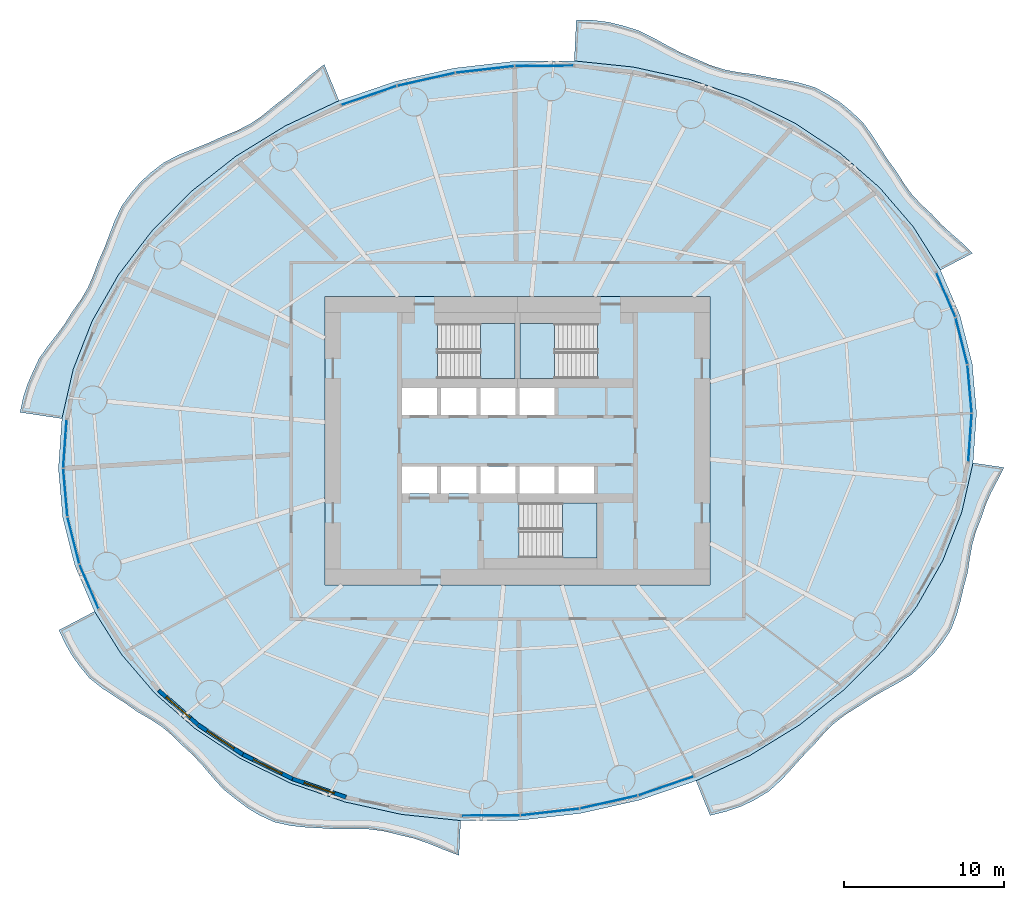
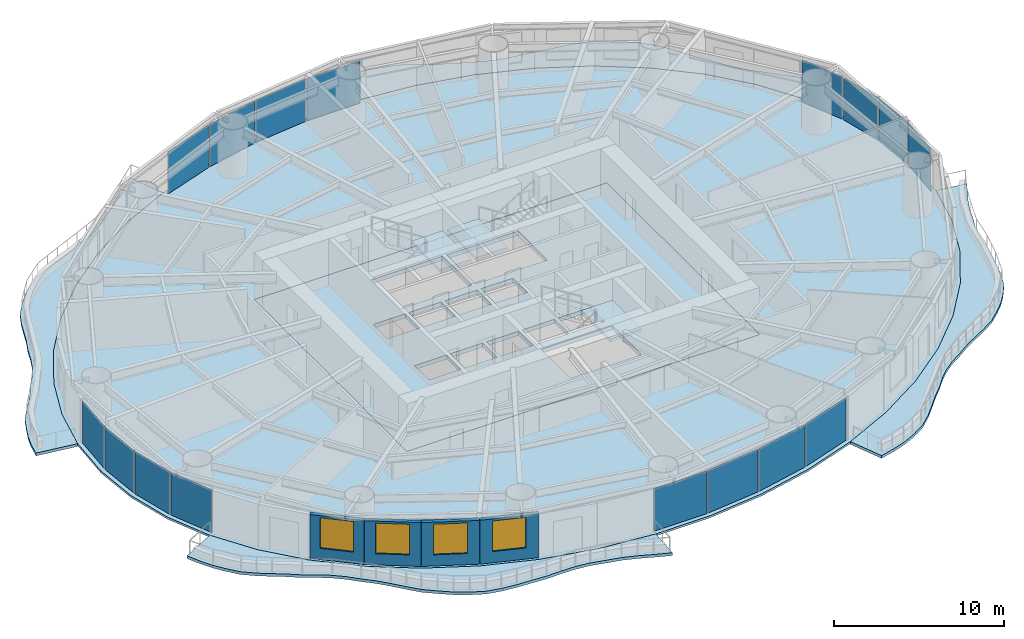
# One storey, part 7 of 16: 16 plates, 9 slabs, 4 walls, 4 windows, 4 openings, 19 elements without a shape of their own.
"""IFC4 building model written with IfcOpenShell, lengths in metres."""

from ifc_helpers import new_model, si_unit, direction, frame, frame_2d, origin, origin_2d, place, context, subcontext, project, spatial, polyline, rectangle, outline, extrude, material, layer, layer_set, type_object, element, fill, aggregate, save


model = new_model("IFC4")

# Units and contexts
model_context = context("Model", 3, precision=1e-05, world=origin(), true_north=direction((0.0, 1.0)))
body_context = subcontext(model_context, "Body", "Model", "MODEL_VIEW")
ifc_project = project(units=[si_unit("LENGTHUNIT", "METRE"), si_unit("AREAUNIT", "SQUARE_METRE"), si_unit("VOLUMEUNIT", "CUBIC_METRE"), si_unit("PLANEANGLEUNIT", "RADIAN"), si_unit("MASSUNIT", "GRAM", prefix="KILO")], contexts=[model_context])

# Site, building, storey
site_placement = place(None, origin())
site = spatial("IfcSite", under=ifc_project, at=site_placement, CompositionType="ELEMENT")
building_placement = place(site_placement, origin())
building = spatial("IfcBuilding", under=site, at=building_placement, Name="Vermilion Reach Broadcast Tower", CompositionType="ELEMENT")
storey_placement = place(building_placement, frame((0.0, 0.0, 73.0)))
storey = spatial("IfcBuildingStorey", under=building, at=storey_placement, Name="L15", CompositionType="ELEMENT", Elevation=73.0)

# Slabs
ifc_material_1 = material(Name="Concrete C40/50", Category="concrete")
ifc_layer_1 = layer(ifc_material_1, 0.199951171875)
ifc_layer_set_1 = layer_set([ifc_layer_1], Name="Balcony slab 200")
slab_type_1 = type_object("IfcSlabType", Name="Balcony slab 200", PredefinedType="FLOOR", material=ifc_layer_set_1)
placement_1 = place(storey_placement, frame((0.0, 0.0, -0.199951171875)))
element("IfcSlab", 1, at=placement_1, inside=storey, type_object=slab_type_1, Name="Balcony slab L15 group 1", PredefinedType="FLOOR", context=body_context, shape_type="SweptSolid", body=[
    extrude(outline(polyline([(20.357421875, 10.640380859375), (18.67919921875, 13.3154296875), (16.578857421875, 15.762451171875), (14.09228515625, 17.93994140625), (11.26171875, 19.810302734375), (8.135986328125, 21.341796875), (4.768310546875, 22.508056640625), (1.21630859375, 23.289306640625), (-2.459228515625, 23.672119140625), (-2.33447265625, 26.22119140625), (-1.2666015625, 26.205078125), (-0.349365234375, 26.093017578125), (0.556396484375, 25.873046875), (1.58154296875, 25.5517578125), (2.539306640625, 25.07177734375), (3.3681640625, 24.608154296875), (4.203857421875, 24.1748046875), (5.13037109375, 23.7919921875), (6.020263671875, 23.40087890625), (6.87060546875, 23.133544921875), (7.753662109375, 22.9609375), (8.756591796875, 22.832763671875), (9.737060546875, 22.63232421875), (10.634521484375, 22.486083984375), (11.52099609375, 22.3173828125), (12.528076171875, 22.0234375), (13.423828125, 21.54345703125), (14.13134765625, 21.076171875), (14.787841796875, 20.531005859375), (15.53369140625, 19.829833984375), (16.12841796875, 19.010986328125), (16.585693359375, 18.27880859375), (17.04736328125, 17.5517578125), (17.61181640625, 16.78515625), (18.099365234375, 16.005126953125), (18.578857421875, 15.354248046875), (19.12353515625, 14.759033203125), (19.7978515625, 14.13916015625), (20.418701171875, 13.474609375), (21.023681640625, 12.92236328125), (21.645751953125, 12.380615234375), (22.35400390625, 11.6875), (20.357421875, 10.640380859375)])), origin(), (0.0, 0.0, 1.0), 0.199951171875),
])
element("IfcSlab", 2, at=placement_1, inside=storey, type_object=slab_type_1, Name="Balcony slab L15 group 2", PredefinedType="FLOOR", context=body_context, shape_type="SweptSolid", body=[
    extrude(outline(polyline([(-17.12890625, 21.19091796875), (-20.473876953125, 19.62060546875), (-23.571533203125, 17.71484375), (-26.3681640625, 15.505859375), (-28.816650390625, 13.031494140625), (-30.87451171875, 10.334228515625), (-32.5068359375, 7.460205078125), (-33.685546875, 4.45849609375), (-34.390625, 1.380615234375), (-37.00341796875, 1.769775390625), (-36.791748046875, 2.740478515625), (-36.546142578125, 3.494140625), (-36.229248046875, 4.2314453125), (-35.8203125, 5.1181640625), (-35.242919921875, 5.936279296875), (-34.721923828125, 6.597900390625), (-34.223876953125, 7.2685546875), (-33.738525390625, 8.04833984375), (-33.19921875, 8.8037109375), (-32.7841796875, 9.518310546875), (-32.44677734375, 10.277099609375), (-32.12744140625, 11.16259765625), (-31.7294921875, 12.053466796875), (-31.41748046875, 12.88232421875), (-31.102783203125, 13.708984375), (-30.662841796875, 14.6376953125), (-30.046630859375, 15.472900390625), (-29.475830078125, 16.13232421875), (-28.834228515625, 16.7216796875), (-28.01953125, 17.352783203125), (-27.068115234375, 17.82958984375), (-26.20703125, 18.1767578125), (-25.341552734375, 18.5185546875), (-24.42822265625, 18.9404296875), (-23.49072265625, 19.318603515625), (-22.678466796875, 19.733642578125), (-21.92333984375, 20.2412109375), (-21.1533203125, 20.87841796875), (-20.339599609375, 21.508544921875), (-19.618896484375, 22.147705078125), (-18.900146484375, 22.790283203125), (-18.043212890625, 23.45361328125), (-17.12890625, 21.19091796875)])), origin(), (0.0, 0.0, 1.0), 0.199951171875),
])
element("IfcSlab", 3, at=placement_1, inside=storey, type_object=slab_type_1, Name="Balcony slab L15 group 3", PredefinedType="FLOOR", context=body_context, shape_type="SweptSolid", body=[
    extrude(outline(polyline([(-32.357421875, -10.640380859375), (-30.67919921875, -13.3154296875), (-28.578857421875, -15.762451171875), (-26.09228515625, -17.93994140625), (-23.26171875, -19.810302734375), (-20.135986328125, -21.341796875), (-16.768310546875, -22.508056640625), (-13.21630859375, -23.289306640625), (-9.540771484375, -23.672119140625), (-9.647216796875, -25.844482421875), (-10.65576171875, -25.459716796875), (-11.546875, -25.096435546875), (-12.443115234375, -24.784912109375), (-13.420166015625, -24.552490234375), (-14.373779296875, -24.3193359375), (-15.280029296875, -24.20751953125), (-16.206787109375, -24.18798828125), (-17.248779296875, -24.21142578125), (-18.276611328125, -24.14111328125), (-19.20263671875, -24.092041015625), (-20.11181640625, -23.994873046875), (-21.145751953125, -23.767578125), (-22.081787109375, -23.335693359375), (-22.830078125, -22.885009765625), (-23.53955078125, -22.35498046875), (-24.345947265625, -21.705078125), (-25.02978515625, -20.947509765625), (-25.59912109375, -20.2705078125), (-26.18896484375, -19.62451171875), (-26.889404296875, -18.985107421875), (-27.538330078125, -18.3369140625), (-28.179443359375, -17.81494140625), (-28.877197265625, -17.357421875), (-29.706787109375, -16.87939453125), (-30.478271484375, -16.330322265625), (-31.189208984375, -15.8779296875), (-31.890380859375, -15.417236328125), (-32.680419921875, -14.789306640625), (-33.303466796875, -14.029541015625), (-33.762939453125, -13.385986328125), (-34.15283203125, -12.69873046875), (-34.57958984375, -11.805908203125), (-32.357421875, -10.640380859375)])), origin(), (0.0, 0.0, 1.0), 0.199951171875),
])
element("IfcSlab", 4, at=placement_1, inside=storey, type_object=slab_type_1, Name="Balcony slab L15 group 4", PredefinedType="FLOOR", context=body_context, shape_type="SweptSolid", body=[
    extrude(outline(polyline([(5.12890625, -21.19091796875), (8.473876953125, -19.62060546875), (11.571533203125, -17.71484375), (14.3681640625, -15.505859375), (16.816650390625, -13.031494140625), (18.87451171875, -10.334228515625), (20.5068359375, -7.460205078125), (21.685546875, -4.45849609375), (22.390625, -1.380615234375), (24.31982421875, -1.66796875), (23.879638671875, -2.531494140625), (23.5009765625, -3.254638671875), (23.173828125, -3.989501953125), (22.89453125, -4.83203125), (22.563232421875, -5.66943359375), (22.34521484375, -6.449951171875), (22.1962890625, -7.257568359375), (22.054443359375, -8.198974609375), (21.80126953125, -9.145751953125), (21.607421875, -9.986083984375), (21.38525390625, -10.81005859375), (21.024658203125, -11.755859375), (20.463623046875, -12.613525390625), (19.933349609375, -13.27587890625), (19.330078125, -13.882568359375), (18.575439453125, -14.561767578125), (17.683837890625, -15.114013671875), (16.8837890625, -15.546630859375), (16.097412109375, -15.99267578125), (15.2900390625, -16.53662109375), (14.455322265625, -17.0537109375), (13.75, -17.59814453125), (13.1083984375, -18.223388671875), (12.451904296875, -18.974609375), (11.732177734375, -19.7109375), (11.10205078125, -20.422119140625), (10.46337890625, -21.118896484375), (9.67333984375, -21.84130859375), (8.7568359375, -22.397216796875), (7.922119140625, -22.793701171875), (7.040771484375, -23.09033203125), (6.00390625, -23.356689453125), (5.12890625, -21.19091796875)])), origin(), (0.0, 0.0, 1.0), 0.199951171875),
])
ifc_material_2 = material(Name="Concrete C40", Category="concrete")
ifc_layer_2 = layer(ifc_material_2, 0.300048828125)
ifc_layer_set_2 = layer_set([ifc_layer_2], Name="Core floor slab 300 mm Concrete C40")
slab_type_2 = type_object("IfcSlabType", Name="Core floor slab 300 mm Concrete C40", PredefinedType="FLOOR", material=ifc_layer_set_2)
slab_5_placement = place(storey_placement, frame((0.0, 0.0, -0.300048828125)))
element("IfcSlab", 5, at=slab_5_placement, inside=storey, type_object=slab_type_2, Name="L15 core floor", PredefinedType="FLOOR", context=body_context, shape_type="SweptSolid", body=[
    extrude(outline(polyline([(-18.0, -9.0), (6.0, -9.0), (6.0, 9.0), (-18.0, 9.0), (-18.0, -9.0)]), holes=[polyline([(-13.199951171875, 1.60009765625), (-11.00830078125, 1.60009765625), (-11.00830078125, 3.280029296875), (-13.199951171875, 3.280029296875), (-13.199951171875, 1.60009765625)]), polyline([(-10.75830078125, 1.60009765625), (-8.566650390625, 1.60009765625), (-8.566650390625, 3.280029296875), (-10.75830078125, 3.280029296875), (-10.75830078125, 1.60009765625)]), polyline([(-8.316650390625, 1.60009765625), (-6.125, 1.60009765625), (-6.125, 3.280029296875), (-8.316650390625, 3.280029296875), (-8.316650390625, 1.60009765625)]), polyline([(-5.875, 1.60009765625), (-3.683349609375, 1.60009765625), (-3.683349609375, 3.280029296875), (-5.875, 3.280029296875), (-5.875, 1.60009765625)]), polyline([(-13.199951171875, -3.280029296875), (-11.00830078125, -3.280029296875), (-11.00830078125, -1.60009765625), (-13.199951171875, -1.60009765625), (-13.199951171875, -3.280029296875)]), polyline([(-10.75830078125, -3.280029296875), (-8.566650390625, -3.280029296875), (-8.566650390625, -1.60009765625), (-10.75830078125, -1.60009765625), (-10.75830078125, -3.280029296875)]), polyline([(-8.316650390625, -3.280029296875), (-6.125, -3.280029296875), (-6.125, -1.60009765625), (-8.316650390625, -1.60009765625), (-8.316650390625, -3.280029296875)]), polyline([(-5.875, -3.280029296875), (-3.683349609375, -3.280029296875), (-3.683349609375, -1.60009765625), (-5.875, -1.60009765625), (-5.875, -3.280029296875)]), polyline([(-3.433349609375, -3.280029296875), (-1.24169921875, -3.280029296875), (-1.24169921875, -1.60009765625), (-3.433349609375, -1.60009765625), (-3.433349609375, -3.280029296875)]), polyline([(-10.999267578125, 3.8798828125), (-6.14990234375, 3.8798828125), (-6.14990234375, 7.300048828125), (-10.999267578125, 7.300048828125), (-10.999267578125, 3.8798828125)]), polyline([(-1.000732421875, 7.300048828125), (-5.85009765625, 7.300048828125), (-5.85009765625, 3.8798828125), (-1.000732421875, 3.8798828125), (-1.000732421875, 7.300048828125)]), polyline([(-5.8994140625, -7.300048828125), (-1.050048828125, -7.300048828125), (-1.050048828125, -3.8798828125), (-5.8994140625, -3.8798828125), (-5.8994140625, -7.300048828125)])]), origin(), (0.0, 0.0, 1.0), 0.300048828125),
])

# Stair, slab
ifc_material_3 = material(Name="Concrete C40", Category="concrete")
stair_type = type_object("IfcStairType", Name="Exit stair RC 22 risers 168 mm", PredefinedType="HALF_TURN_STAIR", material=ifc_material_3)
placement_2 = place(storey_placement, origin())
stair_1 = element("IfcStair", 6, at=placement_2, inside=storey, type_object=stair_type, Name="L15 Exit stair ST1", PredefinedType="HALF_TURN_STAIR")
ifc_material_4 = material(Name="Concrete C40", Category="concrete")
ifc_layer_3 = layer(ifc_material_4, 0.199951171875)
ifc_layer_set_3 = layer_set([ifc_layer_3], Name="Exit stair landing Concrete C40")
slab_type_3 = type_object("IfcSlabType", Name="Exit stair landing Concrete C40", PredefinedType="LANDING", material=ifc_layer_set_3)
placement_3 = place(storey_placement, frame((0.0, 0.0, 1.64990234375)))
slab_6 = element("IfcSlab", 7, at=placement_3, type_object=slab_type_3, Name="ST1 landing 1", PredefinedType="LANDING", context=body_context, shape_type="SweptSolid", body=[
    extrude(outline(polyline([(-8.300048828125, 3.8798828125), (-6.14990234375, 3.8798828125), (-6.14990234375, 7.300048828125), (-8.300048828125, 7.300048828125), (-8.300048828125, 3.8798828125)])), origin(), (0.0, 0.0, 1.0), 0.2001953125),
])
aggregate(stair_1, [slab_6])

stair_2 = element("IfcStair", 8, at=placement_2, inside=storey, type_object=stair_type, Name="L15 Exit stair ST2", PredefinedType="HALF_TURN_STAIR")
slab_7 = element("IfcSlab", 9, at=placement_3, type_object=slab_type_3, Name="ST2 landing 1", PredefinedType="LANDING", context=body_context, shape_type="SweptSolid", body=[
    extrude(outline(polyline([(-3.699951171875, 7.300048828125), (-5.85009765625, 7.300048828125), (-5.85009765625, 3.8798828125), (-3.699951171875, 3.8798828125), (-3.699951171875, 7.300048828125)])), origin(), (0.0, 0.0, 1.0), 0.2001953125),
])
aggregate(stair_2, [slab_7])

stair_3 = element("IfcStair", 10, at=placement_2, inside=storey, type_object=stair_type, Name="L15 Exit stair ST3", PredefinedType="HALF_TURN_STAIR")
slab_8 = element("IfcSlab", 11, at=placement_3, type_object=slab_type_3, Name="ST3 landing 1", PredefinedType="LANDING", context=body_context, shape_type="SweptSolid", body=[
    extrude(outline(polyline([(-3.199951171875, -7.300048828125), (-1.050048828125, -7.300048828125), (-1.050048828125, -3.8798828125), (-3.199951171875, -3.8798828125), (-3.199951171875, -7.300048828125)])), origin(), (0.0, 0.0, 1.0), 0.2001953125),
])
aggregate(stair_3, [slab_8])

# Slab
ifc_material_5 = material(Name="Concrete C40", Category="concrete")
ifc_layer_4 = layer(ifc_material_5, 0.14990234375)
ifc_layer_set_4 = layer_set([ifc_layer_4], Name="Floor slab Concrete C40 composite 150")
slab_type_4 = type_object("IfcSlabType", Name="Floor slab Concrete C40 composite 150", PredefinedType="FLOOR", material=ifc_layer_set_4)
slab_9_placement = place(storey_placement, frame((0.0, 0.0, -0.14990234375)))
element("IfcSlab", 12, at=slab_9_placement, inside=storey, type_object=slab_type_4, Name="Floor slab L15", PredefinedType="FLOOR", context=body_context, shape_type="SweptSolid", body=[
    extrude(outline(polyline([(22.339599609375, 4.793212890625), (21.58447265625, 7.783447265625), (20.357421875, 10.640380859375), (18.67919921875, 13.3154296875), (16.578857421875, 15.762451171875), (14.09228515625, 17.93994140625), (11.26171875, 19.810302734375), (8.135986328125, 21.341796875), (4.768310546875, 22.508056640625), (1.21630859375, 23.289306640625), (-2.459228515625, 23.672119140625), (-6.195068359375, 23.649658203125), (-9.927734375, 23.22265625), (-13.59326171875, 22.3984375), (-17.12890625, 21.19091796875), (-20.473876953125, 19.62060546875), (-23.571533203125, 17.71484375), (-26.3681640625, 15.505859375), (-28.816650390625, 13.031494140625), (-30.87451171875, 10.334228515625), (-32.5068359375, 7.460205078125), (-33.685546875, 4.45849609375), (-34.390625, 1.380615234375), (-34.60986328125, -1.72119140625), (-34.339599609375, -4.793212890625), (-33.58447265625, -7.783447265625), (-32.357421875, -10.640380859375), (-30.67919921875, -13.3154296875), (-28.578857421875, -15.762451171875), (-26.09228515625, -17.93994140625), (-23.26171875, -19.810302734375), (-20.135986328125, -21.341796875), (-16.768310546875, -22.508056640625), (-13.21630859375, -23.289306640625), (-9.540771484375, -23.672119140625), (-5.804931640625, -23.649658203125), (-2.072265625, -23.22265625), (1.59326171875, -22.3984375), (5.12890625, -21.19091796875), (8.473876953125, -19.62060546875), (11.571533203125, -17.71484375), (14.3681640625, -15.505859375), (16.816650390625, -13.031494140625), (18.87451171875, -10.334228515625), (20.5068359375, -7.460205078125), (21.685546875, -4.45849609375), (22.390625, -1.380615234375), (22.60986328125, 1.72119140625), (22.339599609375, 4.793212890625)]), holes=[polyline([(-18.0, -9.0), (6.0, -9.0), (6.0, 9.0), (-18.0, 9.0), (-18.0, -9.0)])]), origin(), (0.0, 0.0, 1.0), 0.14990234375),
])

# Curtain wall, plate
ifc_material_6 = material(Name="Low-e laminated clear glass in aluminium frame", Category="aluminium")
curtain_wall_type = type_object("IfcCurtainWallType", Name="Slot curtain wall", PredefinedType="NOTDEFINED", material=ifc_material_6)
curtain_wall_1 = element("IfcCurtainWall", 13, at=placement_2, inside=storey, type_object=curtain_wall_type, Name="Slot curtain wall L15 46", PredefinedType="NOTDEFINED")
ifc_material_7 = material(Name="Low-e laminated clear glass", Category="glass")
ifc_layer_5 = layer(ifc_material_7, 0.028076171875)
ifc_layer_set_5 = layer_set([ifc_layer_5], Name="Slot glass panel")
plate_type = type_object("IfcPlateType", Name="Slot glass panel", PredefinedType="CURTAIN_PANEL", material=ifc_layer_set_5)
plate_1_placement = place(storey_placement, frame((22.201904296875, 0.191162109375, 0.0), z_axis=(0.0, 0.0, 1.0), x_axis=(0.07053152259, 0.997509550992, 0.0)))
plate_1 = element("IfcPlate", 14, at=plate_1_placement, type_object=plate_type, Name="Slot glass panel L15 46", PredefinedType="CURTAIN_PANEL", context=body_context, shape_type="SweptSolid", body=[
    extrude(rectangle(XDim=2.982421875, YDim=0.028076171875, at=origin_2d()), origin(), (0.0, 0.0, 1.0), 3.050048828125),
])
aggregate(curtain_wall_1, [plate_1])

curtain_wall_2 = element("IfcCurtainWall", 15, at=placement_2, inside=storey, type_object=curtain_wall_type, Name="Slot curtain wall L15 47", PredefinedType="NOTDEFINED")
plate_2_placement = place(storey_placement, frame((22.1767578125, 3.23095703125, 0.0), z_axis=(0.0, 0.0, 1.0), x_axis=(-0.087620916753, 0.996153891197, 0.0)))
plate_2 = element("IfcPlate", 16, at=plate_2_placement, type_object=plate_type, Name="Slot glass panel L15 47", PredefinedType="CURTAIN_PANEL", context=body_context, shape_type="SweptSolid", body=[
    extrude(rectangle(XDim=2.956298828125, YDim=0.028076171875, at=origin_2d()), origin(), (0.0, 0.0, 1.0), 3.050048828125),
])
aggregate(curtain_wall_2, [plate_2])

curtain_wall_3 = element("IfcCurtainWall", 17, at=placement_2, inside=storey, type_object=curtain_wall_type, Name="Slot curtain wall L15 00", PredefinedType="NOTDEFINED")
plate_3_placement = place(storey_placement, frame((21.672119140625, 6.215087890625, 0.0), z_axis=(0.0, 0.0, 1.0), x_axis=(-0.244854700323, 0.969559784505, 0.0)))
plate_3 = element("IfcPlate", 18, at=plate_3_placement, type_object=plate_type, Name="Slot glass panel L15 00", PredefinedType="CURTAIN_PANEL", context=body_context, shape_type="SweptSolid", body=[
    extrude(rectangle(XDim=2.956298828125, YDim=0.028076171875, at=origin_2d()), origin(), (0.0, 0.0, 1.0), 3.050048828125),
])
aggregate(curtain_wall_3, [plate_3])

curtain_wall_4 = element("IfcCurtainWall", 19, at=placement_2, inside=storey, type_object=curtain_wall_type, Name="Slot curtain wall L15 01", PredefinedType="NOTDEFINED")
plate_4_placement = place(storey_placement, frame((20.696044921875, 9.093994140625, 0.0), z_axis=(0.0, 0.0, 1.0), x_axis=(-0.3946560228, 0.918828941462, 0.0)))
plate_4 = element("IfcPlate", 20, at=plate_4_placement, type_object=plate_type, Name="Slot glass panel L15 01", PredefinedType="CURTAIN_PANEL", context=body_context, shape_type="SweptSolid", body=[
    extrude(rectangle(XDim=2.982421875, YDim=0.028076171875, at=origin_2d()), origin(), (0.0, 0.0, 1.0), 3.050048828125),
])
aggregate(curtain_wall_4, [plate_4])

curtain_wall_5 = element("IfcCurtainWall", 21, at=placement_2, inside=storey, type_object=curtain_wall_type, Name="Slot curtain wall L15 10", PredefinedType="NOTDEFINED")
plate_5_placement = place(storey_placement, frame((-4.325439453125, 23.361328125, 0.0), z_axis=(0.0, 0.0, 1.0), x_axis=(-0.999982137161, -0.005977069477, 0.0)))
plate_5 = element("IfcPlate", 22, at=plate_5_placement, type_object=plate_type, Name="Slot glass panel L15 10", PredefinedType="CURTAIN_PANEL", context=body_context, shape_type="SweptSolid", body=[
    extrude(rectangle(XDim=3.62353515625, YDim=0.028076171875, at=origin_2d()), origin(), (0.0, 0.0, 1.0), 3.050048828125),
])
aggregate(curtain_wall_5, [plate_5])

curtain_wall_6 = element("IfcCurtainWall", 23, at=placement_2, inside=storey, type_object=curtain_wall_type, Name="Slot curtain wall L15 11", PredefinedType="NOTDEFINED")
plate_6_placement = place(storey_placement, frame((-8.027587890625, 23.138671875, 0.0), z_axis=(0.0, 0.0, 1.0), x_axis=(-0.99352101994, -0.113648506092, 0.0)))
plate_6 = element("IfcPlate", 24, at=plate_6_placement, type_object=plate_type, Name="Slot glass panel L15 11", PredefinedType="CURTAIN_PANEL", context=body_context, shape_type="SweptSolid", body=[
    extrude(rectangle(XDim=3.644775390625, YDim=0.028076171875, at=origin_2d()), origin(), (0.0, 0.0, 1.0), 3.050048828125),
])
aggregate(curtain_wall_6, [plate_6])

curtain_wall_7 = element("IfcCurtainWall", 25, at=placement_2, inside=storey, type_object=curtain_wall_type, Name="Slot curtain wall L15 12", PredefinedType="NOTDEFINED")
plate_7_placement = place(storey_placement, frame((-11.69482421875, 22.518310546875, 0.0), z_axis=(0.0, 0.0, 1.0), x_axis=(-0.97563302048, -0.21940877227, 0.0)))
plate_7 = element("IfcPlate", 26, at=plate_7_placement, type_object=plate_type, Name="Slot glass panel L15 12", PredefinedType="CURTAIN_PANEL", context=body_context, shape_type="SweptSolid", body=[
    extrude(rectangle(XDim=3.644775390625, YDim=0.028076171875, at=origin_2d()), origin(), (0.0, 0.0, 1.0), 3.050048828125),
])
aggregate(curtain_wall_7, [plate_7])

curtain_wall_8 = element("IfcCurtainWall", 27, at=placement_2, inside=storey, type_object=curtain_wall_type, Name="Slot curtain wall L15 13", PredefinedType="NOTDEFINED")
plate_8_placement = place(storey_placement, frame((-15.26416015625, 21.51123046875, 0.0), z_axis=(0.0, 0.0, 1.0), x_axis=(-0.946325041167, -0.323216516378, 0.0)))
plate_8 = element("IfcPlate", 28, at=plate_8_placement, type_object=plate_type, Name="Slot glass panel L15 13", PredefinedType="CURTAIN_PANEL", context=body_context, shape_type="SweptSolid", body=[
    extrude(rectangle(XDim=3.62353515625, YDim=0.028076171875, at=origin_2d()), origin(), (0.0, 0.0, 1.0), 3.050048828125),
])
aggregate(curtain_wall_8, [plate_8])

curtain_wall_9 = element("IfcCurtainWall", 29, at=placement_2, inside=storey, type_object=curtain_wall_type, Name="Slot curtain wall L15 22", PredefinedType="NOTDEFINED")
plate_9_placement = place(storey_placement, frame((-34.201904296875, -0.191162109375, 0.0), z_axis=(0.0, 0.0, 1.0), x_axis=(-0.07053152259, -0.997509550992, 0.0)))
plate_9 = element("IfcPlate", 30, at=plate_9_placement, type_object=plate_type, Name="Slot glass panel L15 22", PredefinedType="CURTAIN_PANEL", context=body_context, shape_type="SweptSolid", body=[
    extrude(rectangle(XDim=2.982421875, YDim=0.028076171875, at=origin_2d()), origin(), (0.0, 0.0, 1.0), 3.050048828125),
])
aggregate(curtain_wall_9, [plate_9])

curtain_wall_10 = element("IfcCurtainWall", 31, at=placement_2, inside=storey, type_object=curtain_wall_type, Name="Slot curtain wall L15 23", PredefinedType="NOTDEFINED")
plate_10_placement = place(storey_placement, frame((-34.1767578125, -3.23095703125, 0.0), z_axis=(0.0, 0.0, 1.0), x_axis=(0.087620916753, -0.996153891197, 0.0)))
plate_10 = element("IfcPlate", 32, at=plate_10_placement, type_object=plate_type, Name="Slot glass panel L15 23", PredefinedType="CURTAIN_PANEL", context=body_context, shape_type="SweptSolid", body=[
    extrude(rectangle(XDim=2.956298828125, YDim=0.028076171875, at=origin_2d()), origin(), (0.0, 0.0, 1.0), 3.050048828125),
])
aggregate(curtain_wall_10, [plate_10])

curtain_wall_11 = element("IfcCurtainWall", 33, at=placement_2, inside=storey, type_object=curtain_wall_type, Name="Slot curtain wall L15 24", PredefinedType="NOTDEFINED")
plate_11_placement = place(storey_placement, frame((-33.672119140625, -6.215087890625, 0.0), z_axis=(0.0, 0.0, 1.0), x_axis=(0.244854700323, -0.969559784505, 0.0)))
plate_11 = element("IfcPlate", 34, at=plate_11_placement, type_object=plate_type, Name="Slot glass panel L15 24", PredefinedType="CURTAIN_PANEL", context=body_context, shape_type="SweptSolid", body=[
    extrude(rectangle(XDim=2.956298828125, YDim=0.028076171875, at=origin_2d()), origin(), (0.0, 0.0, 1.0), 3.050048828125),
])
aggregate(curtain_wall_11, [plate_11])

curtain_wall_12 = element("IfcCurtainWall", 35, at=placement_2, inside=storey, type_object=curtain_wall_type, Name="Slot curtain wall L15 25", PredefinedType="NOTDEFINED")
plate_12_placement = place(storey_placement, frame((-32.696044921875, -9.093994140625, 0.0), z_axis=(0.0, 0.0, 1.0), x_axis=(0.3946560228, -0.918828941462, 0.0)))
plate_12 = element("IfcPlate", 36, at=plate_12_placement, type_object=plate_type, Name="Slot glass panel L15 25", PredefinedType="CURTAIN_PANEL", context=body_context, shape_type="SweptSolid", body=[
    extrude(rectangle(XDim=2.982421875, YDim=0.028076171875, at=origin_2d()), origin(), (0.0, 0.0, 1.0), 3.050048828125),
])
aggregate(curtain_wall_12, [plate_12])

curtain_wall_13 = element("IfcCurtainWall", 37, at=placement_2, inside=storey, type_object=curtain_wall_type, Name="Slot curtain wall L15 34", PredefinedType="NOTDEFINED")
plate_13_placement = place(storey_placement, frame((-7.674560546875, -23.361328125, 0.0), z_axis=(0.0, 0.0, 1.0), x_axis=(0.999982137161, 0.005977069477, 0.0)))
plate_13 = element("IfcPlate", 38, at=plate_13_placement, type_object=plate_type, Name="Slot glass panel L15 34", PredefinedType="CURTAIN_PANEL", context=body_context, shape_type="SweptSolid", body=[
    extrude(rectangle(XDim=3.62353515625, YDim=0.028076171875, at=origin_2d()), origin(), (0.0, 0.0, 1.0), 3.050048828125),
])
aggregate(curtain_wall_13, [plate_13])

curtain_wall_14 = element("IfcCurtainWall", 39, at=placement_2, inside=storey, type_object=curtain_wall_type, Name="Slot curtain wall L15 35", PredefinedType="NOTDEFINED")
plate_14_placement = place(storey_placement, frame((-3.972412109375, -23.138671875, 0.0), z_axis=(0.0, 0.0, 1.0), x_axis=(0.99352101994, 0.113648506092, 0.0)))
plate_14 = element("IfcPlate", 40, at=plate_14_placement, type_object=plate_type, Name="Slot glass panel L15 35", PredefinedType="CURTAIN_PANEL", context=body_context, shape_type="SweptSolid", body=[
    extrude(rectangle(XDim=3.644775390625, YDim=0.028076171875, at=origin_2d()), origin(), (0.0, 0.0, 1.0), 3.050048828125),
])
aggregate(curtain_wall_14, [plate_14])

curtain_wall_15 = element("IfcCurtainWall", 41, at=placement_2, inside=storey, type_object=curtain_wall_type, Name="Slot curtain wall L15 36", PredefinedType="NOTDEFINED")
plate_15_placement = place(storey_placement, frame((-0.30517578125, -22.518310546875, 0.0), z_axis=(0.0, 0.0, 1.0), x_axis=(0.97563302048, 0.21940877227, 0.0)))
plate_15 = element("IfcPlate", 42, at=plate_15_placement, type_object=plate_type, Name="Slot glass panel L15 36", PredefinedType="CURTAIN_PANEL", context=body_context, shape_type="SweptSolid", body=[
    extrude(rectangle(XDim=3.644775390625, YDim=0.028076171875, at=origin_2d()), origin(), (0.0, 0.0, 1.0), 3.050048828125),
])
aggregate(curtain_wall_15, [plate_15])

curtain_wall_16 = element("IfcCurtainWall", 43, at=placement_2, inside=storey, type_object=curtain_wall_type, Name="Slot curtain wall L15 37", PredefinedType="NOTDEFINED")
plate_16_placement = place(storey_placement, frame((3.26416015625, -21.51123046875, 0.0), z_axis=(0.0, 0.0, 1.0), x_axis=(0.946325041167, 0.323216516378, 0.0)))
plate_16 = element("IfcPlate", 44, at=plate_16_placement, type_object=plate_type, Name="Slot glass panel L15 37", PredefinedType="CURTAIN_PANEL", context=body_context, shape_type="SweptSolid", body=[
    extrude(rectangle(XDim=3.62353515625, YDim=0.028076171875, at=origin_2d()), origin(), (0.0, 0.0, 1.0), 3.050048828125),
])
aggregate(curtain_wall_16, [plate_16])

# Wall, opening, window
ifc_material_8 = material(Name="Terracotta rainscreen cladding", Category="masonry")
ifc_layer_6 = layer(ifc_material_8, 0.25)
ifc_layer_set_6 = layer_set([ifc_layer_6], Name="Terracotta rainscreen wall 250")
wall_type = type_object("IfcWallType", Name="Terracotta rainscreen wall 250", PredefinedType="SOLIDWALL", material=ifc_layer_set_6)
wall_1_placement = place(storey_placement, frame((-28.356201171875, -15.559814453125, 0.0), z_axis=(0.0, 0.0, 1.0), x_axis=(0.752375826342, -0.658734101088, 0.0)))
wall_1 = element("IfcWall", 45, at=wall_1_placement, inside=storey, type_object=wall_type, Name="External wall L15 28", PredefinedType="SOLIDWALL", context=body_context, shape_type="SweptSolid", body=[
    extrude(rectangle(XDim=3.238037109375, YDim=0.25, at=frame_2d((1.619140625, 0.0))), origin(), (0.0, 0.0, 1.0), 3.14990234375),
])
opening_1_placement = place(wall_1_placement, frame((0.619140625, 0.0, 0.800048828125)))
opening_1 = element("IfcOpeningElement", 46, at=opening_1_placement, cuts=wall_1, Name="Opening W01", PredefinedType="OPENING", context=body_context, shape_type="SweptSolid", body=[
    extrude(rectangle(XDim=2.0, YDim=2.199951171875, at=frame_2d((1.0, 1.10009765625))), frame((0.0, 0.135009765625, 0.0), z_axis=(0.0, -1.0, 0.0), x_axis=(1.0, 0.0, 0.0)), (0.0, 0.0, 1.0), 0.27001953125),
])
ifc_material_9 = material(Name="Low-e laminated clear glass in aluminium frame", Category="aluminium")
window_type = type_object("IfcWindowType", Name="Punched window 2000 x 2200 sill 800", PartitioningType="SINGLE_PANEL", PredefinedType="WINDOW", material=ifc_material_9)
window_1_placement = place(opening_1_placement, origin())
window_1 = element("IfcWindow", 47, at=window_1_placement, inside=storey, type_object=window_type, Name="Window L15 28", OverallHeight=2.199951171875, OverallWidth=2.0, PartitioningType="SINGLE_PANEL", PredefinedType="WINDOW", context=body_context, shape_type="SweptSolid", body=[
    extrude(rectangle(XDim=2.0, YDim=2.199951171875, at=frame_2d((1.0, 1.10009765625))), frame((0.0, 0.030029296875, 0.0), z_axis=(0.0, -1.0, 0.0), x_axis=(1.0, 0.0, 0.0)), (0.0, 0.0, 1.0), 0.06005859375),
])
fill(opening_1, window_1)

wall_2_placement = place(storey_placement, frame((-25.900146484375, -17.7080078125, 0.0), z_axis=(0.0, 0.0, 1.0), x_axis=(0.834288934292, -0.551327465413, 0.0)))
wall_2 = element("IfcWall", 48, at=wall_2_placement, inside=storey, type_object=wall_type, Name="External wall L15 29", PredefinedType="SOLIDWALL", context=body_context, shape_type="SweptSolid", body=[
    extrude(rectangle(XDim=3.32861328125, YDim=0.25, at=frame_2d((1.664306640625, 0.0))), origin(), (0.0, 0.0, 1.0), 3.14990234375),
])
opening_2_placement = place(wall_2_placement, frame((0.664306640625, 0.0, 0.800048828125)))
opening_2 = element("IfcOpeningElement", 49, at=opening_2_placement, cuts=wall_2, Name="Opening W01", PredefinedType="OPENING", context=body_context, shape_type="SweptSolid", body=[
    extrude(rectangle(XDim=2.0, YDim=2.199951171875, at=frame_2d((1.0, 1.10009765625))), frame((0.0, 0.135009765625, 0.0), z_axis=(0.0, -1.0, 0.0), x_axis=(1.0, 0.0, 0.0)), (0.0, 0.0, 1.0), 0.27001953125),
])
window_2_placement = place(opening_2_placement, origin())
window_2 = element("IfcWindow", 50, at=window_2_placement, inside=storey, type_object=window_type, Name="Window L15 29", OverallHeight=2.199951171875, OverallWidth=2.0, PartitioningType="SINGLE_PANEL", PredefinedType="WINDOW", context=body_context, shape_type="SweptSolid", body=[
    extrude(rectangle(XDim=2.0, YDim=2.199951171875, at=frame_2d((1.0, 1.10009765625))), frame((0.0, 0.030029296875, 0.0), z_axis=(0.0, -1.0, 0.0), x_axis=(1.0, 0.0, 0.0)), (0.0, 0.0, 1.0), 0.06005859375),
])
fill(opening_2, window_2)

wall_3_placement = place(storey_placement, frame((-23.10205078125, -19.55517578125, 0.0), z_axis=(0.0, 0.0, 1.0), x_axis=(0.89802471606, -0.439945007184, 0.0)))
wall_3 = element("IfcWall", 51, at=wall_3_placement, inside=storey, type_object=wall_type, Name="External wall L15 30", PredefinedType="SOLIDWALL", context=body_context, shape_type="SweptSolid", body=[
    extrude(rectangle(XDim=3.41943359375, YDim=0.25, at=frame_2d((1.709716796875, 0.0))), origin(), (0.0, 0.0, 1.0), 3.14990234375),
])
opening_3_placement = place(wall_3_placement, frame((0.709716796875, 0.0, 0.800048828125)))
opening_3 = element("IfcOpeningElement", 52, at=opening_3_placement, cuts=wall_3, Name="Opening W01", PredefinedType="OPENING", context=body_context, shape_type="SweptSolid", body=[
    extrude(rectangle(XDim=2.0, YDim=2.199951171875, at=frame_2d((1.0, 1.10009765625))), frame((0.0, 0.135009765625, 0.0), z_axis=(0.0, -1.0, 0.0), x_axis=(1.0, 0.0, 0.0)), (0.0, 0.0, 1.0), 0.27001953125),
])
window_3_placement = place(opening_3_placement, origin())
window_3 = element("IfcWindow", 53, at=window_3_placement, inside=storey, type_object=window_type, Name="Window L15 30", OverallHeight=2.199951171875, OverallWidth=2.0, PartitioningType="SINGLE_PANEL", PredefinedType="WINDOW", context=body_context, shape_type="SweptSolid", body=[
    extrude(rectangle(XDim=2.0, YDim=2.199951171875, at=frame_2d((1.0, 1.10009765625))), frame((0.0, 0.030029296875, 0.0), z_axis=(0.0, -1.0, 0.0), x_axis=(1.0, 0.0, 0.0)), (0.0, 0.0, 1.0), 0.06005859375),
])
fill(opening_3, window_3)

wall_4_placement = place(storey_placement, frame((-20.009765625, -21.068603515625, 0.0), z_axis=(0.0, 0.0, 1.0), x_axis=(0.944948803813, -0.327218211861, 0.0)))
wall_4 = element("IfcWall", 54, at=wall_4_placement, inside=storey, type_object=wall_type, Name="External wall L15 31", PredefinedType="SOLIDWALL", context=body_context, shape_type="SweptSolid", body=[
    extrude(rectangle(XDim=3.505126953125, YDim=0.25, at=frame_2d((1.75244140625, 0.0))), origin(), (0.0, 0.0, 1.0), 3.14990234375),
])
opening_4_placement = place(wall_4_placement, frame((0.752685546875, 0.0, 0.800048828125)))
opening_4 = element("IfcOpeningElement", 55, at=opening_4_placement, cuts=wall_4, Name="Opening W01", PredefinedType="OPENING", context=body_context, shape_type="SweptSolid", body=[
    extrude(rectangle(XDim=2.0, YDim=2.199951171875, at=frame_2d((1.0, 1.10009765625))), frame((0.0, 0.135009765625, 0.0), z_axis=(0.0, -1.0, 0.0), x_axis=(1.0, 0.0, 0.0)), (0.0, 0.0, 1.0), 0.27001953125),
])
window_4_placement = place(opening_4_placement, origin())
window_4 = element("IfcWindow", 56, at=window_4_placement, inside=storey, type_object=window_type, Name="Window L15 31", OverallHeight=2.199951171875, OverallWidth=2.0, PartitioningType="SINGLE_PANEL", PredefinedType="WINDOW", context=body_context, shape_type="SweptSolid", body=[
    extrude(rectangle(XDim=2.0, YDim=2.199951171875, at=frame_2d((1.0, 1.10009765625))), frame((0.0, 0.030029296875, 0.0), z_axis=(0.0, -1.0, 0.0), x_axis=(1.0, 0.0, 0.0)), (0.0, 0.0, 1.0), 0.06005859375),
])
fill(opening_4, window_4)

save(model, "model.ifc")
